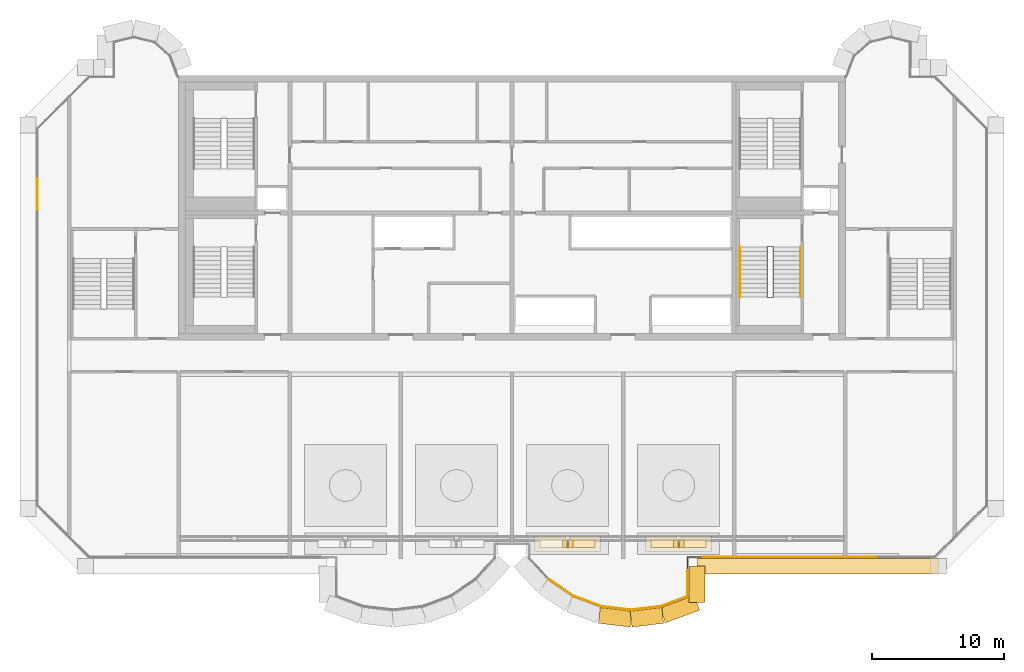
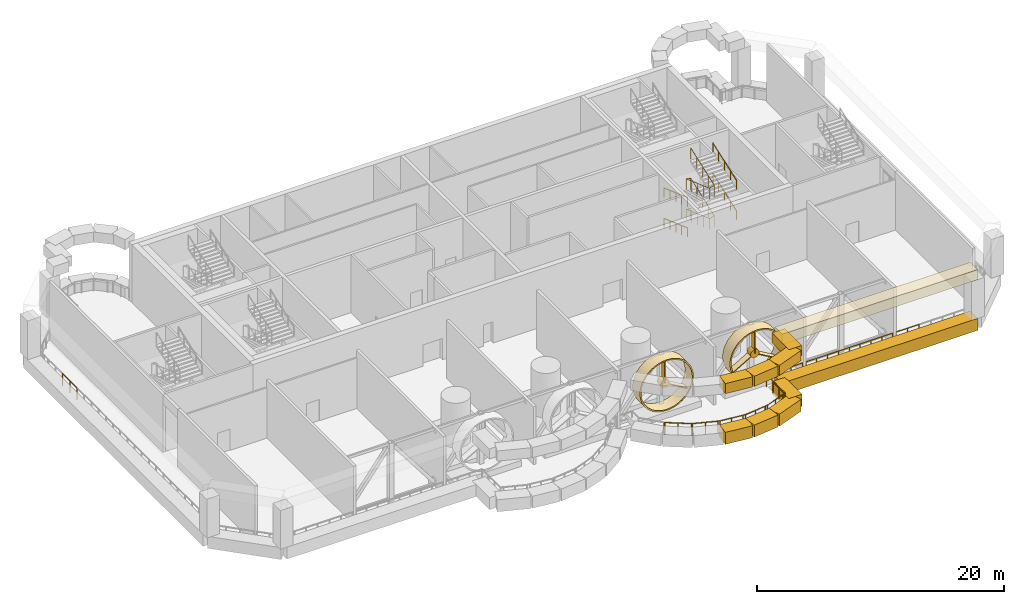
# One storey, part 10 of 15: 19 coverings, 19 railings.
"""IFC4 building model written with IfcOpenShell, lengths in metres."""

from ifc_helpers import new_model, si_unit, direction, frame, origin, origin_2d, place, context, subcontext, project, spatial, rectangle, circle, hollow_circle, extrude, source, transform, mapped, material, material_profile, profile_set, type_object, element, save


model = new_model("IFC4")

# Units and contexts
model_context = context("Model", 3, precision=1e-05, world=origin(), true_north=direction((0.0, 1.0)))
body_context = subcontext(model_context, "Body", "Model", "MODEL_VIEW")
ifc_project = project(units=[si_unit("LENGTHUNIT", "METRE"), si_unit("AREAUNIT", "SQUARE_METRE"), si_unit("VOLUMEUNIT", "CUBIC_METRE"), si_unit("PLANEANGLEUNIT", "RADIAN"), si_unit("MASSUNIT", "GRAM", prefix="KILO")], contexts=[model_context])

# Site, building, storey
site_placement = place(None, origin())
site = spatial("IfcSite", under=ifc_project, at=site_placement, CompositionType="ELEMENT")
building_placement = place(site_placement, origin())
building = spatial("IfcBuilding", under=site, at=building_placement, Name="Vanashikhar Sky Hotel", CompositionType="ELEMENT")
storey_placement = place(building_placement, frame((0.0, 0.0, 317.699951171875)))
storey = spatial("IfcBuildingStorey", under=building, at=storey_placement, Name="L76", CompositionType="ELEMENT", Elevation=317.699951171875)

# Coverings
ifc_material_1 = material(Name="Concrete M60 dark", Category="concrete")
covering_type_1 = type_object("IfcCoveringType", Name="Turbine slot portal frame", PredefinedType="CLADDING", material=ifc_material_1)
shared_shape_1 = source(origin(), body_context, "Body", "SweptSolid", [
    extrude(rectangle(XDim=2.41259765625, YDim=1.199951171875, at=origin_2d()), origin(), (0.0, 0.0, 1.0), 1.0),
])
for number, where, z_axis, x_axis, name in (
    (1, (58.2021484375, 1.0380859375, 4.719970703125), (0.0, 0.0, 1.0), (0.993008838731, -0.118040019495, 0.0), "Portal frame head"),
    (2, (60.597900390625, 1.0380859375, 4.719970703125), (0.0, 0.0, 1.0), (0.993008838731, 0.118040019495, 0.0), "Portal frame head"),
):
    element("IfcCovering", number, at=place(storey_placement, frame(where, z_axis=z_axis, x_axis=x_axis)), inside=storey, type_object=covering_type_1, Name=name, PredefinedType="CLADDING", context=body_context, shape_type="MappedRepresentation", body=[
        mapped(shared_shape_1, transform((0.0, 0.0, 0.0), scale=1.0)),
    ])
shared_shape_2 = source(origin(), body_context, "Body", "SweptSolid", [
    extrude(rectangle(XDim=2.41259765625, YDim=1.199951171875, at=origin_2d()), origin(), (0.0, 0.0, 1.0), 1.179931640625),
])
for number, where, z_axis, x_axis, name in (
    (3, (58.2021484375, 1.0380859375, -0.27978515625), (0.0, 0.0, 1.0), (0.993008838731, -0.118040019495, 0.0), "Portal frame sill"),
    (4, (60.597900390625, 1.0380859375, -0.27978515625), (0.0, 0.0, 1.0), (0.993008838731, 0.118040019495, 0.0), "Portal frame sill"),
):
    element("IfcCovering", number, at=place(storey_placement, frame(where, z_axis=z_axis, x_axis=x_axis)), inside=storey, type_object=covering_type_1, Name=name, PredefinedType="CLADDING", context=body_context, shape_type="MappedRepresentation", body=[
        mapped(shared_shape_2, transform((0.0, 0.0, 0.0), scale=1.0)),
    ])

# Railings
ifc_material_2 = material(Name="Stainless steel 316", Category="steel")
railing_type_1 = type_object("IfcRailingType", Name="Open edge guard 1200", PredefinedType="GUARDRAIL", material=ifc_material_2)
shared_shape_3 = source(origin(), body_context, "Body", "SweptSolid", [
    extrude(circle(Radius=0.02392578125, at=origin_2d()), frame((0.0, 0.0, 1.17578125), z_axis=(0.0, 1.0, 0.0), x_axis=(-1.0, 0.0, 0.0)), (0.0, 0.0, 1.0), 2.32421875),
    extrude(circle(Radius=0.02099609375, at=origin_2d()), origin(), (0.0, 0.0, 1.0), 1.15185546875),
    extrude(circle(Radius=0.02099609375, at=origin_2d()), frame((0.0, 1.162109375, 0.0)), (0.0, 0.0, 1.0), 1.15185546875),
    extrude(circle(Radius=0.02099609375, at=origin_2d()), frame((0.0, 2.32421875, 0.0)), (0.0, 0.0, 1.0), 1.15185546875),
])
railing_1_placement = place(storey_placement, frame((14.5, 31.885498046875, 0.0)))
element("IfcRailing", 5, at=railing_1_placement, inside=storey, type_object=railing_type_1, Name="Open edge guard", PredefinedType="GUARDRAIL", context=body_context, shape_type="MappedRepresentation", body=[
    mapped(shared_shape_3, transform((0.0, 0.0, 0.0), scale=1.0)),
])
shared_shape_4 = source(origin(), body_context, "Body", "SweptSolid", [
    extrude(circle(Radius=0.02392578125, at=origin_2d()), frame((0.0, 0.0, 1.17578125), z_axis=(-1.0, 0.0, 0.0), x_axis=(0.0, -1.0, 0.0)), (0.0, 0.0, 1.0), 2.176513671875),
    extrude(circle(Radius=0.02099609375, at=origin_2d()), origin(), (0.0, 0.0, 1.0), 1.15185546875),
    extrude(circle(Radius=0.02099609375, at=origin_2d()), frame((-1.08837890625, 0.0, 0.0)), (0.0, 0.0, 1.0), 1.15185546875),
    extrude(circle(Radius=0.02099609375, at=origin_2d()), frame((-2.176513671875, 0.0, 0.0)), (0.0, 0.0, 1.0), 1.15185546875),
])
railing_2_placement = place(storey_placement, frame((77.921630859375, 5.60009765625, 0.0)))
element("IfcRailing", 6, at=railing_2_placement, inside=storey, type_object=railing_type_1, Name="Open edge guard", PredefinedType="GUARDRAIL", context=body_context, shape_type="MappedRepresentation", body=[
    mapped(shared_shape_4, transform((0.0, 0.0, 0.0), scale=1.0)),
])
shared_shape_5 = source(origin(), body_context, "Body", "SweptSolid", [
    extrude(circle(Radius=0.02392578125, at=origin_2d()), frame((0.0, 0.0, 1.17578125), z_axis=(-1.0, 0.0, 0.0), x_axis=(0.0, -1.0, 0.0)), (0.0, 0.0, 1.0), 2.027587890625),
    extrude(circle(Radius=0.02099609375, at=origin_2d()), origin(), (0.0, 0.0, 1.0), 1.15185546875),
    extrude(circle(Radius=0.02099609375, at=origin_2d()), frame((-1.013671875, 0.0, 0.0)), (0.0, 0.0, 1.0), 1.15185546875),
    extrude(circle(Radius=0.02099609375, at=origin_2d()), frame((-2.027587890625, 0.0, 0.0)), (0.0, 0.0, 1.0), 1.15185546875),
])
for number, where, name in (
    (7, (75.455078125, 5.60009765625, 0.0), "Open edge guard"),
    (8, (73.427490234375, 5.60009765625, 0.0), "Open edge guard"),
    (9, (69.37255859375, 5.60009765625, 0.0), "Open edge guard"),
):
    element("IfcRailing", number, at=place(storey_placement, frame(where)), inside=storey, type_object=railing_type_1, Name=name, PredefinedType="GUARDRAIL", context=body_context, shape_type="MappedRepresentation", body=[
        mapped(shared_shape_5, transform((0.0, 0.0, 0.0), scale=1.0)),
    ])
shared_shape_6 = source(origin(), body_context, "Body", "SweptSolid", [
    extrude(circle(Radius=0.02392578125, at=origin_2d()), frame((0.0, 0.0, 1.17578125), z_axis=(-1.0, 0.0, 0.0), x_axis=(0.0, -1.0, 0.0)), (0.0, 0.0, 1.0), 2.02734375),
    extrude(circle(Radius=0.02099609375, at=origin_2d()), origin(), (0.0, 0.0, 1.0), 1.15185546875),
    extrude(circle(Radius=0.02099609375, at=origin_2d()), frame((-1.013671875, 0.0, 0.0)), (0.0, 0.0, 1.0), 1.15185546875),
    extrude(circle(Radius=0.02099609375, at=origin_2d()), frame((-2.02734375, 0.0, 0.0)), (0.0, 0.0, 1.0), 1.15185546875),
])
railing_3_placement = place(storey_placement, frame((71.39990234375, 5.60009765625, 0.0)))
element("IfcRailing", 10, at=railing_3_placement, inside=storey, type_object=railing_type_1, Name="Open edge guard", PredefinedType="GUARDRAIL", context=body_context, shape_type="MappedRepresentation", body=[
    mapped(shared_shape_6, transform((0.0, 0.0, 0.0), scale=1.0)),
])
shared_shape_7 = source(origin(), body_context, "Body", "SweptSolid", [
    extrude(circle(Radius=0.02392578125, at=origin_2d()), frame((0.0, 0.0, 1.17578125), z_axis=(-1.0, 0.0, 0.0), x_axis=(0.0, -1.0, 0.0)), (0.0, 0.0, 1.0), 2.1953125),
    extrude(circle(Radius=0.02099609375, at=origin_2d()), origin(), (0.0, 0.0, 1.0), 1.15185546875),
    extrude(circle(Radius=0.02099609375, at=origin_2d()), frame((-1.09765625, 0.0, 0.0)), (0.0, 0.0, 1.0), 1.15185546875),
    extrude(circle(Radius=0.02099609375, at=origin_2d()), frame((-2.1953125, 0.0, 0.0)), (0.0, 0.0, 1.0), 1.15185546875),
])
railing_4_placement = place(storey_placement, frame((67.054931640625, 5.60009765625, 0.0)))
element("IfcRailing", 11, at=railing_4_placement, inside=storey, type_object=railing_type_1, Name="Open edge guard", PredefinedType="GUARDRAIL", context=body_context, shape_type="MappedRepresentation", body=[
    mapped(shared_shape_7, transform((0.0, 0.0, 0.0), scale=1.0)),
])
shared_shape_8 = source(origin(), body_context, "Body", "SweptSolid", [
    extrude(circle(Radius=0.02392578125, at=origin_2d()), frame((0.0, 0.0, 1.17578125), z_axis=(-1.0, 0.0, 0.0), x_axis=(0.0, -1.0, 0.0)), (0.0, 0.0, 1.0), 1.176513671875),
    extrude(circle(Radius=0.02392578125, at=origin_2d()), frame((-1.176513671875, 0.0, 1.17578125), z_axis=(0.0, -1.0, 0.0), x_axis=(1.0, 0.0, 0.0)), (0.0, 0.0, 1.0), 1.019287109375),
    extrude(circle(Radius=0.02099609375, at=origin_2d()), origin(), (0.0, 0.0, 1.0), 1.15185546875),
    extrude(circle(Radius=0.02099609375, at=origin_2d()), frame((-1.176513671875, 0.0, 0.0)), (0.0, 0.0, 1.0), 1.15185546875),
    extrude(circle(Radius=0.02099609375, at=origin_2d()), frame((-1.176513671875, -1.019287109375, 0.0)), (0.0, 0.0, 1.0), 1.15185546875),
])
railing_5_placement = place(storey_placement, frame((64.859619140625, 5.60009765625, 0.0)))
element("IfcRailing", 12, at=railing_5_placement, inside=storey, type_object=railing_type_1, Name="Open edge guard", PredefinedType="GUARDRAIL", context=body_context, shape_type="MappedRepresentation", body=[
    mapped(shared_shape_8, transform((0.0, 0.0, 0.0), scale=1.0)),
])
shared_shape_9 = source(origin(), body_context, "Body", "SweptSolid", [
    extrude(circle(Radius=0.02392578125, at=origin_2d()), frame((0.0, 0.0, 1.17578125), z_axis=(0.0, -1.0, 0.0), x_axis=(1.0, 0.0, 0.0)), (0.0, 0.0, 1.0), 1.953125),
    extrude(circle(Radius=0.02392578125, at=origin_2d()), frame((0.0, -1.953125, 1.17578125), z_axis=(-0.937359529621, -0.348363477174, 0.0), x_axis=(0.348363477174, -0.937359529621, 0.0)), (0.0, 0.0, 1.0), 0.242431640625),
    extrude(circle(Radius=0.02099609375, at=origin_2d()), origin(), (0.0, 0.0, 1.0), 1.15185546875),
    extrude(circle(Radius=0.02099609375, at=origin_2d()), frame((0.0, -0.9765625, 0.0)), (0.0, 0.0, 1.0), 1.15185546875),
    extrude(circle(Radius=0.02099609375, at=origin_2d()), frame((0.0, -1.953125, 0.0)), (0.0, 0.0, 1.0), 1.15185546875),
    extrude(circle(Radius=0.02099609375, at=origin_2d()), frame((-0.227294921875, -2.03759765625, 0.0)), (0.0, 0.0, 1.0), 1.15185546875),
])
railing_6_placement = place(storey_placement, frame((63.68310546875, 4.580810546875, 0.0)))
element("IfcRailing", 13, at=railing_6_placement, inside=storey, type_object=railing_type_1, Name="Open edge guard", PredefinedType="GUARDRAIL", context=body_context, shape_type="MappedRepresentation", body=[
    mapped(shared_shape_9, transform((0.0, 0.0, 0.0), scale=1.0)),
])
shared_shape_10 = source(origin(), body_context, "Body", "SweptSolid", [
    extrude(circle(Radius=0.02392578125, at=origin_2d()), frame((0.0, 0.0, 1.17578125), z_axis=(-0.937555006347, -0.347837045286, 0.0), x_axis=(0.347837045286, -0.937555006347, 0.0)), (0.0, 0.0, 1.0), 1.947021484375),
    extrude(circle(Radius=0.02392578125, at=origin_2d()), frame((-1.825439453125, -0.67724609375, 1.17578125), z_axis=(-0.993015725956, -0.11798206645, 0.0), x_axis=(0.11798206645, -0.993015725956, 0.0)), (0.0, 0.0, 1.0), 0.248291015625),
    extrude(circle(Radius=0.02099609375, at=origin_2d()), origin(), (0.0, 0.0, 1.0), 1.15185546875),
    extrude(circle(Radius=0.02099609375, at=origin_2d()), frame((-0.91259765625, -0.338623046875, 0.0)), (0.0, 0.0, 1.0), 1.15185546875),
    extrude(circle(Radius=0.02099609375, at=origin_2d()), frame((-1.825439453125, -0.67724609375, 0.0)), (0.0, 0.0, 1.0), 1.15185546875),
    extrude(circle(Radius=0.02099609375, at=origin_2d()), frame((-2.072021484375, -0.70654296875, 0.0)), (0.0, 0.0, 1.0), 1.15185546875),
])
railing_7_placement = place(storey_placement, frame((63.455810546875, 2.543212890625, 0.0)))
element("IfcRailing", 14, at=railing_7_placement, inside=storey, type_object=railing_type_1, Name="Open edge guard", PredefinedType="GUARDRAIL", context=body_context, shape_type="MappedRepresentation", body=[
    mapped(shared_shape_10, transform((0.0, 0.0, 0.0), scale=1.0)),
])
shared_shape_11 = source(origin(), body_context, "Body", "SweptSolid", [
    extrude(circle(Radius=0.02392578125, at=origin_2d()), frame((0.0, 0.0, 1.17578125), z_axis=(-0.99299373762, -0.118166987974, 0.0), x_axis=(0.118166987974, -0.99299373762, 0.0)), (0.0, 0.0, 1.0), 1.997802734375),
    extrude(circle(Radius=0.02392578125, at=origin_2d()), frame((-1.98388671875, -0.236083984375, 1.17578125), z_axis=(-0.992946793169, 0.118560811125, 0.0), x_axis=(-0.118560811125, -0.992946793169, 0.0)), (0.0, 0.0, 1.0), 0.19775390625),
    extrude(circle(Radius=0.02099609375, at=origin_2d()), origin(), (0.0, 0.0, 1.0), 1.15185546875),
    extrude(circle(Radius=0.02099609375, at=origin_2d()), frame((-0.991943359375, -0.1181640625, 0.0)), (0.0, 0.0, 1.0), 1.15185546875),
    extrude(circle(Radius=0.02099609375, at=origin_2d()), frame((-1.98388671875, -0.236083984375, 0.0)), (0.0, 0.0, 1.0), 1.15185546875),
    extrude(circle(Radius=0.02099609375, at=origin_2d()), frame((-2.18017578125, -0.212646484375, 0.0)), (0.0, 0.0, 1.0), 1.15185546875),
])
railing_8_placement = place(storey_placement, frame((61.3837890625, 1.836669921875, 0.0)))
element("IfcRailing", 15, at=railing_8_placement, inside=storey, type_object=railing_type_1, Name="Open edge guard", PredefinedType="GUARDRAIL", context=body_context, shape_type="MappedRepresentation", body=[
    mapped(shared_shape_11, transform((0.0, 0.0, 0.0), scale=1.0)),
])
shared_shape_12 = source(origin(), body_context, "Body", "SweptSolid", [
    extrude(circle(Radius=0.02392578125, at=origin_2d()), frame((0.0, 0.0, 1.17578125), z_axis=(-0.992999263133, 0.118120546125, 0.0), x_axis=(-0.118120546125, -0.992999263133, 0.0)), (0.0, 0.0, 1.0), 2.04833984375),
    extrude(circle(Radius=0.02392578125, at=origin_2d()), frame((-2.033935546875, 0.241943359375, 1.17578125), z_axis=(-0.938088188599, 0.346396521938, 0.0), x_axis=(-0.346396521938, -0.938088188599, 0.0)), (0.0, 0.0, 1.0), 0.147216796875),
    extrude(circle(Radius=0.02099609375, at=origin_2d()), origin(), (0.0, 0.0, 1.0), 1.15185546875),
    extrude(circle(Radius=0.02099609375, at=origin_2d()), frame((-1.01708984375, 0.12109375, 0.0)), (0.0, 0.0, 1.0), 1.15185546875),
    extrude(circle(Radius=0.02099609375, at=origin_2d()), frame((-2.033935546875, 0.241943359375, 0.0)), (0.0, 0.0, 1.0), 1.15185546875),
    extrude(circle(Radius=0.02099609375, at=origin_2d()), frame((-2.172119140625, 0.29296875, 0.0)), (0.0, 0.0, 1.0), 1.15185546875),
])
railing_9_placement = place(storey_placement, frame((59.20361328125, 1.6240234375, 0.0)))
element("IfcRailing", 16, at=railing_9_placement, inside=storey, type_object=railing_type_1, Name="Open edge guard", PredefinedType="GUARDRAIL", context=body_context, shape_type="MappedRepresentation", body=[
    mapped(shared_shape_12, transform((0.0, 0.0, 0.0), scale=1.0)),
])
shared_shape_13 = source(origin(), body_context, "Body", "SweptSolid", [
    extrude(circle(Radius=0.02392578125, at=origin_2d()), frame((0.0, 0.0, 1.17578125), z_axis=(-0.937494649112, 0.347999688056, 0.0), x_axis=(-0.347999688056, -0.937494649112, 0.0)), (0.0, 0.0, 1.0), 2.099853515625),
    extrude(circle(Radius=0.02392578125, at=origin_2d()), frame((-1.968505859375, 0.730712890625, 1.17578125), z_axis=(-0.830086432263, 0.557634750508, 0.0), x_axis=(-0.557634750508, -0.830086432263, 0.0)), (0.0, 0.0, 1.0), 0.095947265625),
    extrude(circle(Radius=0.02099609375, at=origin_2d()), origin(), (0.0, 0.0, 1.0), 1.15185546875),
    extrude(circle(Radius=0.02099609375, at=origin_2d()), frame((-0.984375, 0.365234375, 0.0)), (0.0, 0.0, 1.0), 1.15185546875),
    extrude(circle(Radius=0.02099609375, at=origin_2d()), frame((-1.968505859375, 0.730712890625, 0.0)), (0.0, 0.0, 1.0), 1.15185546875),
    extrude(circle(Radius=0.02099609375, at=origin_2d()), frame((-2.048095703125, 0.7841796875, 0.0)), (0.0, 0.0, 1.0), 1.15185546875),
])
railing_10_placement = place(storey_placement, frame((57.031494140625, 1.9169921875, 0.0)))
element("IfcRailing", 17, at=railing_10_placement, inside=storey, type_object=railing_type_1, Name="Open edge guard", PredefinedType="GUARDRAIL", context=body_context, shape_type="MappedRepresentation", body=[
    mapped(shared_shape_13, transform((0.0, 0.0, 0.0), scale=1.0)),
])
shared_shape_14 = source(origin(), body_context, "Body", "SweptSolid", [
    extrude(circle(Radius=0.02392578125, at=origin_2d()), frame((0.0, 0.0, 1.17578125), z_axis=(-0.829597857137, 0.558361348442, 0.0), x_axis=(-0.558361348442, -0.829597857137, 0.0)), (0.0, 0.0, 1.0), 2.151123046875),
    extrude(circle(Radius=0.02392578125, at=origin_2d()), frame((-1.78466796875, 1.201171875, 1.17578125), z_axis=(-0.675975492745, 0.736924102746, 0.0), x_axis=(-0.736924102746, -0.675975492745, 0.0)), (0.0, 0.0, 1.0), 0.0439453125),
    extrude(circle(Radius=0.02099609375, at=origin_2d()), origin(), (0.0, 0.0, 1.0), 1.15185546875),
    extrude(circle(Radius=0.02099609375, at=origin_2d()), frame((-0.892333984375, 0.6005859375, 0.0)), (0.0, 0.0, 1.0), 1.15185546875),
    extrude(circle(Radius=0.02099609375, at=origin_2d()), frame((-1.78466796875, 1.201171875, 0.0)), (0.0, 0.0, 1.0), 1.15185546875),
    extrude(circle(Radius=0.02099609375, at=origin_2d()), frame((-1.814453125, 1.233642578125, 0.0)), (0.0, 0.0, 1.0), 1.15185546875),
])
railing_11_placement = place(storey_placement, frame((54.9833984375, 2.701171875, 0.0)))
element("IfcRailing", 18, at=railing_11_placement, inside=storey, type_object=railing_type_1, Name="Open edge guard", PredefinedType="GUARDRAIL", context=body_context, shape_type="MappedRepresentation", body=[
    mapped(shared_shape_14, transform((0.0, 0.0, 0.0), scale=1.0)),
])

# Coverings
ifc_material_3 = material(Name="Aluminium 6063-T6", Category="aluminium")
ifc_material_profile_1 = material_profile(ifc_material_3, hollow_circle(Radius=2.5, WallThickness=0.1201171875, at=origin_2d()))
ifc_profile_set_1 = profile_set([ifc_material_profile_1], Name="Turbine shroud 5000")
covering_type_2 = type_object("IfcCoveringType", Name="Turbine shroud 5000", PredefinedType="CLADDING", material=ifc_profile_set_1)
shared_shape_15 = source(origin(), body_context, "Body", "SweptSolid", [
    extrude(hollow_circle(Radius=2.5, WallThickness=0.1201171875, at=origin_2d()), origin(), (0.0, 0.0, 1.0), 1.199951171875),
])
for number, where, z_axis, x_axis, name in (
    (19, (54.60009765625, 6.0, 3.10009765625), (0.0, 1.0, 0.0), (-1.0, 0.0, 0.0), "Turbine shroud 3"),
    (20, (63.0, 6.0, 3.10009765625), (0.0, 1.0, 0.0), (-1.0, 0.0, 0.0), "Turbine shroud 4"),
):
    element("IfcCovering", number, at=place(storey_placement, frame(where, z_axis=z_axis, x_axis=x_axis)), inside=storey, type_object=covering_type_2, Name=name, PredefinedType="CLADDING", context=body_context, shape_type="MappedRepresentation", body=[
        mapped(shared_shape_15, transform((0.0, 0.0, 0.0), scale=1.0)),
    ])
ifc_material_profile_2 = material_profile(ifc_material_3, circle(Radius=0.39990234375, at=origin_2d()))
ifc_profile_set_2 = profile_set([ifc_material_profile_2], Name="Turbine hub")
covering_type_3 = type_object("IfcCoveringType", Name="Turbine hub", PredefinedType="CLADDING", material=ifc_profile_set_2)
shared_shape_16 = source(origin(), body_context, "Body", "SweptSolid", [
    extrude(circle(Radius=0.39990234375, at=origin_2d()), origin(), (0.0, 0.0, 1.0), 0.599853515625),
])
for number, where, z_axis, x_axis, name in (
    (21, (54.60009765625, 6.300048828125, 3.10009765625), (0.0, 1.0, 0.0), (-1.0, 0.0, 0.0), "Turbine hub 3"),
    (22, (63.0, 6.300048828125, 3.10009765625), (0.0, 1.0, 0.0), (-1.0, 0.0, 0.0), "Turbine hub 4"),
):
    element("IfcCovering", number, at=place(storey_placement, frame(where, z_axis=z_axis, x_axis=x_axis)), inside=storey, type_object=covering_type_3, Name=name, PredefinedType="CLADDING", context=body_context, shape_type="MappedRepresentation", body=[
        mapped(shared_shape_16, transform((0.0, 0.0, 0.0), scale=1.0)),
    ])
ifc_material_profile_3 = material_profile(ifc_material_3, rectangle(XDim=0.60009765625, YDim=0.080078125, at=origin_2d()))
ifc_profile_set_3 = profile_set([ifc_material_profile_3], Name="Turbine rotor blade")
covering_type_4 = type_object("IfcCoveringType", Name="Turbine rotor blade", PredefinedType="CLADDING", material=ifc_profile_set_3)
shared_shape_17 = source(origin(), body_context, "Body", "SweptSolid", [
    extrude(rectangle(XDim=0.60009765625, YDim=0.080078125, at=origin_2d()), origin(), (0.0, 0.0, 1.0), 2.3798828125),
])
for number, where, z_axis, x_axis, name in (
    (23, (54.60009765625, 6.60009765625, 3.10009765625), (0.0, 0.0, 1.0), (0.0, 1.0, 0.0), "Turbine rotor blade 3.1"),
    (24, (63.0, 6.60009765625, 3.10009765625), (0.0, 0.0, 1.0), (0.0, 1.0, 0.0), "Turbine rotor blade 4.1"),
):
    element("IfcCovering", number, at=place(storey_placement, frame(where, z_axis=z_axis, x_axis=x_axis)), inside=storey, type_object=covering_type_4, Name=name, PredefinedType="CLADDING", context=body_context, shape_type="MappedRepresentation", body=[
        mapped(shared_shape_17, transform((0.0, 0.0, 0.0), scale=1.0)),
    ])
shared_shape_18 = source(origin(), body_context, "Body", "SweptSolid", [
    extrude(rectangle(XDim=0.60009765625, YDim=0.080078125, at=origin_2d()), origin(), (0.0, 0.0, 1.0), 2.3798828125),
])
for number, where, z_axis, x_axis, name in (
    (25, (54.60009765625, 6.60009765625, 3.10009765625), (0.866025002776, 0.0, -0.500000694566), (0.0, 1.0, 0.0), "Turbine rotor blade 3.3"),
    (26, (63.0, 6.60009765625, 3.10009765625), (-0.866025002776, 0.0, -0.500000694566), (0.0, -1.0, 0.0), "Turbine rotor blade 4.2"),
    (27, (63.0, 6.60009765625, 3.10009765625), (0.866025002776, 0.0, -0.500000694566), (0.0, 1.0, 0.0), "Turbine rotor blade 4.3"),
):
    element("IfcCovering", number, at=place(storey_placement, frame(where, z_axis=z_axis, x_axis=x_axis)), inside=storey, type_object=covering_type_4, Name=name, PredefinedType="CLADDING", context=body_context, shape_type="MappedRepresentation", body=[
        mapped(shared_shape_18, transform((0.0, 0.0, 0.0), scale=1.0)),
    ])
shared_shape_19 = source(origin(), body_context, "Body", "SweptSolid", [
    extrude(rectangle(XDim=18.265380859375, YDim=1.199951171875, at=origin_2d()), origin(), (0.0, 0.0, 1.0), 1.0),
])
covering_1_placement = place(storey_placement, frame((73.515625, 4.89990234375, 4.719970703125), z_axis=(0.0, 0.0, 1.0), x_axis=(1.0, 0.0, 0.0)))
element("IfcCovering", 28, at=covering_1_placement, inside=storey, type_object=covering_type_1, Name="Portal frame head", PredefinedType="CLADDING", context=body_context, shape_type="MappedRepresentation", body=[
    mapped(shared_shape_19, transform((0.0, 0.0, 0.0), scale=1.0)),
])
shared_shape_20 = source(origin(), body_context, "Body", "SweptSolid", [
    extrude(rectangle(XDim=18.265380859375, YDim=1.199951171875, at=origin_2d()), origin(), (0.0, 0.0, 1.0), 1.179931640625),
])
covering_2_placement = place(storey_placement, frame((73.515625, 4.89990234375, -0.27978515625), z_axis=(0.0, 0.0, 1.0), x_axis=(1.0, 0.0, 0.0)))
element("IfcCovering", 29, at=covering_2_placement, inside=storey, type_object=covering_type_1, Name="Portal frame sill", PredefinedType="CLADDING", context=body_context, shape_type="MappedRepresentation", body=[
    mapped(shared_shape_20, transform((0.0, 0.0, 0.0), scale=1.0)),
])
shared_shape_21 = source(origin(), body_context, "Body", "SweptSolid", [
    extrude(rectangle(XDim=2.75927734375, YDim=1.199951171875, at=origin_2d()), origin(), (0.0, 0.0, 1.0), 1.0),
])
covering_3_placement = place(storey_placement, frame((64.383056640625, 3.5205078125, 4.719970703125), z_axis=(0.0, 0.0, 1.0), x_axis=(0.0, 1.0, 0.0)))
element("IfcCovering", 30, at=covering_3_placement, inside=storey, type_object=covering_type_1, Name="Portal frame head", PredefinedType="CLADDING", context=body_context, shape_type="MappedRepresentation", body=[
    mapped(shared_shape_21, transform((0.0, 0.0, 0.0), scale=1.0)),
])
shared_shape_22 = source(origin(), body_context, "Body", "SweptSolid", [
    extrude(rectangle(XDim=2.75927734375, YDim=1.199951171875, at=origin_2d()), origin(), (0.0, 0.0, 1.0), 1.179931640625),
])
covering_4_placement = place(storey_placement, frame((64.383056640625, 3.5205078125, -0.27978515625), z_axis=(0.0, 0.0, 1.0), x_axis=(0.0, 1.0, 0.0)))
element("IfcCovering", 31, at=covering_4_placement, inside=storey, type_object=covering_type_1, Name="Portal frame sill", PredefinedType="CLADDING", context=body_context, shape_type="MappedRepresentation", body=[
    mapped(shared_shape_22, transform((0.0, 0.0, 0.0), scale=1.0)),
])
shared_shape_23 = source(origin(), body_context, "Body", "SweptSolid", [
    extrude(rectangle(XDim=2.759521484375, YDim=1.199951171875, at=origin_2d()), origin(), (0.0, 0.0, 1.0), 1.0),
])
covering_5_placement = place(storey_placement, frame((63.08935546875, 1.66064453125, 4.719970703125), z_axis=(0.0, 0.0, 1.0), x_axis=(0.937525110258, 0.347917616161, 0.0)))
element("IfcCovering", 32, at=covering_5_placement, inside=storey, type_object=covering_type_1, Name="Portal frame head", PredefinedType="CLADDING", context=body_context, shape_type="MappedRepresentation", body=[
    mapped(shared_shape_23, transform((0.0, 0.0, 0.0), scale=1.0)),
])
shared_shape_24 = source(origin(), body_context, "Body", "SweptSolid", [
    extrude(rectangle(XDim=2.759521484375, YDim=1.199951171875, at=origin_2d()), origin(), (0.0, 0.0, 1.0), 1.179931640625),
])
covering_6_placement = place(storey_placement, frame((63.08935546875, 1.66064453125, -0.27978515625), z_axis=(0.0, 0.0, 1.0), x_axis=(0.937525110258, 0.347917616161, 0.0)))
element("IfcCovering", 33, at=covering_6_placement, inside=storey, type_object=covering_type_1, Name="Portal frame sill", PredefinedType="CLADDING", context=body_context, shape_type="MappedRepresentation", body=[
    mapped(shared_shape_24, transform((0.0, 0.0, 0.0), scale=1.0)),
])

# Railings
ifc_material_4 = material(Name="Steel S355", Category="steel")
railing_type_2 = type_object("IfcRailingType", Name="Stair handrail 900", PredefinedType="HANDRAIL", material=ifc_material_4)
shared_shape_25 = source(origin(), body_context, "Body", "SweptSolid", [
    extrude(circle(Radius=0.02392578125, at=origin_2d()), frame((0.0, 0.0, 0.8759765625), z_axis=(0.0, 0.940335516113, 0.340248610777), x_axis=(-1.0, 0.0, 0.0)), (0.0, 0.0, 1.0), 4.041259765625),
    extrude(circle(Radius=0.02099609375, at=origin_2d()), origin(), (0.0, 0.0, 1.0), 0.851806640625),
    extrude(circle(Radius=0.02099609375, at=origin_2d()), frame((0.0, 0.949951171875, 0.34375)), (0.0, 0.0, 1.0), 0.851806640625),
    extrude(circle(Radius=0.02099609375, at=origin_2d()), frame((0.0, 1.89990234375, 0.6875)), (0.0, 0.0, 1.0), 0.851806640625),
    extrude(circle(Radius=0.02099609375, at=origin_2d()), frame((0.0, 2.85009765625, 1.03125)), (0.0, 0.0, 1.0), 0.851806640625),
    extrude(circle(Radius=0.02099609375, at=origin_2d()), frame((0.0, 3.800048828125, 1.375)), (0.0, 0.0, 1.0), 0.851806640625),
])
for number, where, name in (
    (34, (72.199951171875, 25.25, 1.625), "Exit stair 2 handrail"),
    (35, (72.199951171875, 25.25, 4.625), "Exit stair 2 handrail"),
):
    element("IfcRailing", number, at=place(storey_placement, frame(where)), inside=storey, type_object=railing_type_2, Name=name, PredefinedType="HANDRAIL", context=body_context, shape_type="MappedRepresentation", body=[
        mapped(shared_shape_25, transform((0.0, 0.0, 0.0), scale=1.0)),
    ])
shared_shape_26 = source(origin(), body_context, "Body", "SweptSolid", [
    extrude(circle(Radius=0.02392578125, at=origin_2d()), frame((0.0, 0.0, 0.8759765625), z_axis=(0.0, -0.940335516113, 0.340248610777), x_axis=(1.0, 0.0, 0.0)), (0.0, 0.0, 1.0), 4.041259765625),
    extrude(circle(Radius=0.02099609375, at=origin_2d()), origin(), (0.0, 0.0, 1.0), 0.851806640625),
    extrude(circle(Radius=0.02099609375, at=origin_2d()), frame((0.0, -0.949951171875, 0.34375)), (0.0, 0.0, 1.0), 0.851806640625),
    extrude(circle(Radius=0.02099609375, at=origin_2d()), frame((0.0, -1.89990234375, 0.6875)), (0.0, 0.0, 1.0), 0.851806640625),
    extrude(circle(Radius=0.02099609375, at=origin_2d()), frame((0.0, -2.85009765625, 1.03125)), (0.0, 0.0, 1.0), 0.851806640625),
    extrude(circle(Radius=0.02099609375, at=origin_2d()), frame((0.0, -3.800048828125, 1.375)), (0.0, 0.0, 1.0), 0.851806640625),
])
for number, where, name in (
    (36, (67.64990234375, 29.050048828125, 0.125), "Exit stair 2 handrail"),
    (37, (67.64990234375, 29.050048828125, 3.125), "Exit stair 2 handrail"),
):
    element("IfcRailing", number, at=place(storey_placement, frame(where)), inside=storey, type_object=railing_type_2, Name=name, PredefinedType="HANDRAIL", context=body_context, shape_type="MappedRepresentation", body=[
        mapped(shared_shape_26, transform((0.0, 0.0, 0.0), scale=1.0)),
    ])
railing_type_3 = type_object("IfcRailingType", Name="Stair guard 1100", PredefinedType="GUARDRAIL", material=ifc_material_4)
shared_shape_27 = source(origin(), body_context, "Body", "SweptSolid", [
    extrude(circle(Radius=0.02392578125, at=origin_2d()), frame((0.0, 0.0, 1.076171875), z_axis=(-0.963510419359, 0.0, 0.267670827299), x_axis=(0.0, -1.0, 0.0)), (0.0, 0.0, 1.0), 0.467041015625),
    extrude(circle(Radius=0.02392578125, at=origin_2d()), frame((-0.449951171875, 0.0, 1.201171875), z_axis=(0.0, -0.940335516113, 0.340248610777), x_axis=(1.0, 0.0, 0.0)), (0.0, 0.0, 1.0), 4.041259765625),
    extrude(circle(Radius=0.02392578125, at=origin_2d()), frame((-0.449951171875, -3.800048828125, 2.576171875), z_axis=(0.963510419359, 0.0, 0.267670827299), x_axis=(0.0, 1.0, 0.0)), (0.0, 0.0, 1.0), 0.467041015625),
    extrude(circle(Radius=0.02392578125, at=origin_2d()), frame((0.0, -3.800048828125, 2.701171875), z_axis=(0.0, 0.940335516113, 0.340248610777), x_axis=(-1.0, 0.0, 0.0)), (0.0, 0.0, 1.0), 4.041259765625),
    extrude(circle(Radius=0.02392578125, at=origin_2d()), frame((0.0, 0.0, 4.076171875), z_axis=(-0.963510419359, 0.0, 0.267670827299), x_axis=(0.0, -1.0, 0.0)), (0.0, 0.0, 1.0), 0.467041015625),
    extrude(circle(Radius=0.02392578125, at=origin_2d()), frame((-0.449951171875, 0.0, 4.201171875), z_axis=(0.0, -0.940335516113, 0.340248610777), x_axis=(1.0, 0.0, 0.0)), (0.0, 0.0, 1.0), 4.041259765625),
    extrude(circle(Radius=0.02392578125, at=origin_2d()), frame((-0.449951171875, -3.800048828125, 5.576171875), z_axis=(0.963510419359, 0.0, 0.267670827299), x_axis=(0.0, 1.0, 0.0)), (0.0, 0.0, 1.0), 0.467041015625),
    extrude(circle(Radius=0.02392578125, at=origin_2d()), frame((0.0, -3.800048828125, 5.701171875), z_axis=(0.0, 0.940335516113, 0.340248610777), x_axis=(-1.0, 0.0, 0.0)), (0.0, 0.0, 1.0), 4.041259765625),
    extrude(circle(Radius=0.02099609375, at=origin_2d()), origin(), (0.0, 0.0, 1.0), 1.052001953125),
    extrude(circle(Radius=0.02099609375, at=origin_2d()), frame((-0.449951171875, 0.0, 0.125)), (0.0, 0.0, 1.0), 1.052001953125),
    extrude(circle(Radius=0.02099609375, at=origin_2d()), frame((-0.449951171875, -0.949951171875, 0.46875)), (0.0, 0.0, 1.0), 1.052001953125),
    extrude(circle(Radius=0.02099609375, at=origin_2d()), frame((-0.449951171875, -1.89990234375, 0.8125)), (0.0, 0.0, 1.0), 1.052001953125),
    extrude(circle(Radius=0.02099609375, at=origin_2d()), frame((-0.449951171875, -2.85009765625, 1.15625)), (0.0, 0.0, 1.0), 1.052001953125),
    extrude(circle(Radius=0.02099609375, at=origin_2d()), frame((-0.449951171875, -3.800048828125, 1.5)), (0.0, 0.0, 1.0), 1.052001953125),
    extrude(circle(Radius=0.02099609375, at=origin_2d()), frame((0.0, -3.800048828125, 1.625)), (0.0, 0.0, 1.0), 1.052001953125),
    extrude(circle(Radius=0.02099609375, at=origin_2d()), frame((0.0, -2.85009765625, 1.96875)), (0.0, 0.0, 1.0), 1.052001953125),
    extrude(circle(Radius=0.02099609375, at=origin_2d()), frame((0.0, -1.89990234375, 2.3125)), (0.0, 0.0, 1.0), 1.052001953125),
    extrude(circle(Radius=0.02099609375, at=origin_2d()), frame((0.0, -0.949951171875, 2.65625)), (0.0, 0.0, 1.0), 1.052001953125),
    extrude(circle(Radius=0.02099609375, at=origin_2d()), frame((0.0, 0.0, 3.0)), (0.0, 0.0, 1.0), 1.052001953125),
    extrude(circle(Radius=0.02099609375, at=origin_2d()), frame((-0.449951171875, 0.0, 3.125)), (0.0, 0.0, 1.0), 1.052001953125),
    extrude(circle(Radius=0.02099609375, at=origin_2d()), frame((-0.449951171875, -0.949951171875, 3.46875)), (0.0, 0.0, 1.0), 1.052001953125),
    extrude(circle(Radius=0.02099609375, at=origin_2d()), frame((-0.449951171875, -1.89990234375, 3.8125)), (0.0, 0.0, 1.0), 1.052001953125),
    extrude(circle(Radius=0.02099609375, at=origin_2d()), frame((-0.449951171875, -2.85009765625, 4.15625)), (0.0, 0.0, 1.0), 1.052001953125),
    extrude(circle(Radius=0.02099609375, at=origin_2d()), frame((-0.449951171875, -3.800048828125, 4.5)), (0.0, 0.0, 1.0), 1.052001953125),
    extrude(circle(Radius=0.02099609375, at=origin_2d()), frame((0.0, -3.800048828125, 4.625)), (0.0, 0.0, 1.0), 1.052001953125),
    extrude(circle(Radius=0.02099609375, at=origin_2d()), frame((0.0, -2.85009765625, 4.96875)), (0.0, 0.0, 1.0), 1.052001953125),
    extrude(circle(Radius=0.02099609375, at=origin_2d()), frame((0.0, -1.89990234375, 5.3125)), (0.0, 0.0, 1.0), 1.052001953125),
    extrude(circle(Radius=0.02099609375, at=origin_2d()), frame((0.0, -0.949951171875, 5.65625)), (0.0, 0.0, 1.0), 1.052001953125),
    extrude(circle(Radius=0.02099609375, at=origin_2d()), frame((0.0, 0.0, 6.0)), (0.0, 0.0, 1.0), 1.052001953125),
])
railing_12_placement = place(storey_placement, frame((70.14990234375, 29.050048828125, 0.0)))
element("IfcRailing", 38, at=railing_12_placement, inside=storey, type_object=railing_type_3, Name="Exit stair 2 guard", PredefinedType="GUARDRAIL", context=body_context, shape_type="MappedRepresentation", body=[
    mapped(shared_shape_27, transform((0.0, 0.0, 0.0), scale=1.0)),
])

save(model, "model.ifc")
